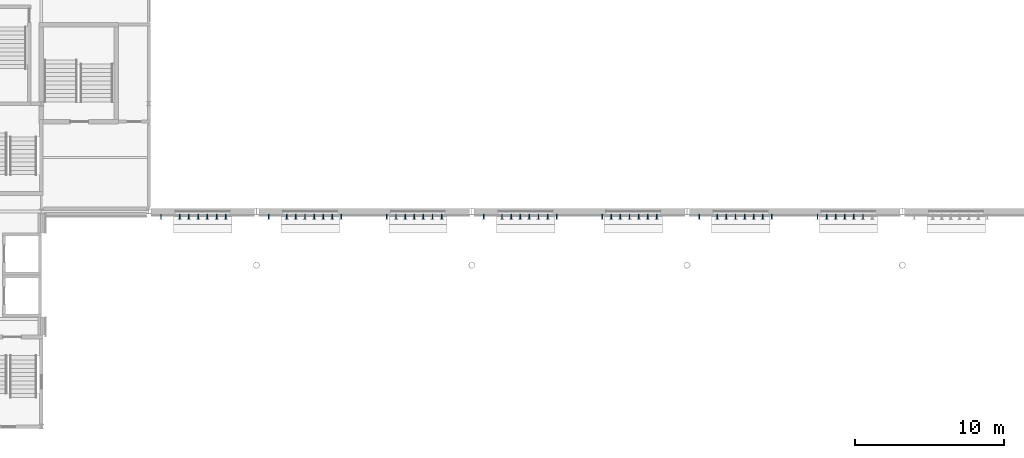
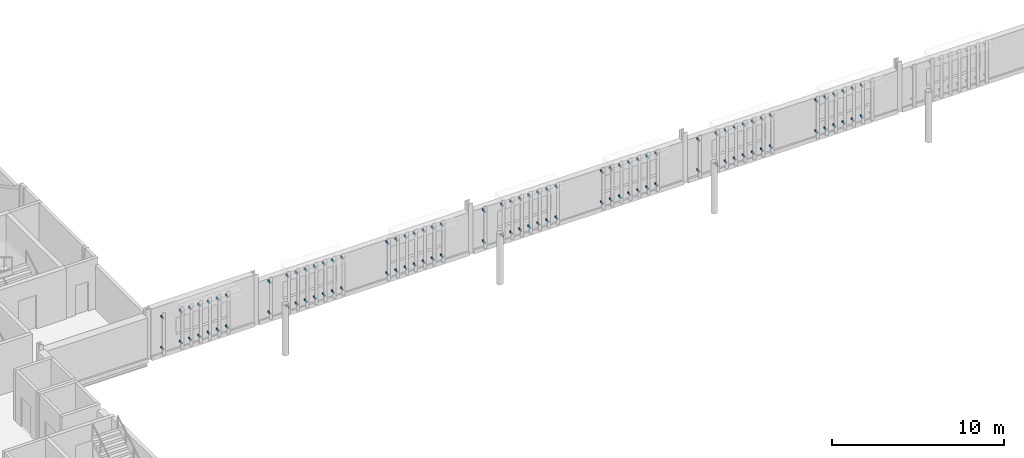
# One storey, part 96 of 124: 102 discrete accessories.
"""IFC4 building model written with IfcOpenShell, lengths in metres."""

from ifc_helpers import new_model, si_unit, direction, frame, origin, origin_2d, place, context, subcontext, project, spatial, rectangle, extrude, material, layer, layer_set, type_object, element, save


model = new_model("IFC4")

# Units and contexts
model_context = context("Model", 3, precision=1e-05, world=origin(), true_north=direction((0.0, 1.0)))
body_context = subcontext(model_context, "Body", "Model", "MODEL_VIEW")
ifc_project = project(units=[si_unit("LENGTHUNIT", "METRE"), si_unit("AREAUNIT", "SQUARE_METRE"), si_unit("VOLUMEUNIT", "CUBIC_METRE"), si_unit("PLANEANGLEUNIT", "RADIAN"), si_unit("MASSUNIT", "GRAM", prefix="KILO")], contexts=[model_context])

# Site, building, storey
site_placement = place(None, origin())
site = spatial("IfcSite", under=ifc_project, at=site_placement, CompositionType="ELEMENT")
building_placement = place(site_placement, origin())
building = spatial("IfcBuilding", under=site, at=building_placement, Name="Kupolbacken Congress Centre", CompositionType="ELEMENT")
storey_placement = place(building_placement, frame((0.0, 0.0, 10.800048828125)))
storey = spatial("IfcBuildingStorey", under=building, at=storey_placement, Name="L03", CompositionType="ELEMENT", Elevation=10.800048828125)

# Discrete accessories
ifc_material = material(Name="Steel S355", Category="steel")
ifc_layer = layer(ifc_material, 0.011962890625)
ifc_layer_set = layer_set([ifc_layer], Name="Steel S355")
discrete_accessory_type = type_object("IfcDiscreteAccessoryType", Name="BK1 bracket 150 x 150 x 12", PredefinedType="BRACKET", material=ifc_layer_set)
for number, where, z_axis, x_axis, name in (
    (1, (87.2099609375, 42.840087890625, 0.64990234375), (0.0, 0.0, 1.0), (1.0, 0.0, 0.0), "E/brise/S/L03/362/B01/BR1"),
    (2, (87.2099609375, 42.840087890625, 2.849853515625), (0.0, 0.0, 1.0), (1.0, 0.0, 0.0), "E/brise/S/L03/362/B01/BR2"),
    (3, (88.449951171875, 42.840087890625, 0.64990234375), (0.0, 0.0, 1.0), (1.0, 0.0, 0.0), "E/brise/S/L03/362/B03/BR1"),
    (4, (88.449951171875, 42.840087890625, 2.849853515625), (0.0, 0.0, 1.0), (1.0, 0.0, 0.0), "E/brise/S/L03/362/B03/BR2"),
    (5, (89.070068359375, 42.840087890625, 0.64990234375), (0.0, 0.0, 1.0), (1.0, 0.0, 0.0), "E/brise/S/L03/362/B04/BR1"),
    (6, (89.070068359375, 42.840087890625, 2.849853515625), (0.0, 0.0, 1.0), (1.0, 0.0, 0.0), "E/brise/S/L03/362/B04/BR2"),
    (7, (89.68994140625, 42.840087890625, 0.64990234375), (0.0, 0.0, 1.0), (1.0, 0.0, 0.0), "E/brise/S/L03/362/B05/BR1"),
    (8, (89.68994140625, 42.840087890625, 2.849853515625), (0.0, 0.0, 1.0), (1.0, 0.0, 0.0), "E/brise/S/L03/362/B05/BR2"),
    (9, (90.31005859375, 42.840087890625, 0.64990234375), (0.0, 0.0, 1.0), (1.0, 0.0, 0.0), "E/brise/S/L03/362/B06/BR1"),
    (10, (90.31005859375, 42.840087890625, 2.849853515625), (0.0, 0.0, 1.0), (1.0, 0.0, 0.0), "E/brise/S/L03/362/B06/BR2"),
    (11, (90.929931640625, 42.840087890625, 0.64990234375), (0.0, 0.0, 1.0), (1.0, 0.0, 0.0), "E/brise/S/L03/362/B07/BR1"),
    (12, (90.929931640625, 42.840087890625, 2.849853515625), (0.0, 0.0, 1.0), (1.0, 0.0, 0.0), "E/brise/S/L03/362/B07/BR2"),
    (13, (91.550048828125, 42.840087890625, 0.64990234375), (0.0, 0.0, 1.0), (1.0, 0.0, 0.0), "E/brise/S/L03/362/B08/BR1"),
    (14, (91.550048828125, 42.840087890625, 2.849853515625), (0.0, 0.0, 1.0), (1.0, 0.0, 0.0), "E/brise/S/L03/362/B08/BR2"),
    (15, (94.404541015625, 42.840087890625, 0.64990234375), (0.0, 0.0, 1.0), (1.0, 0.0, 0.0), "E/brise/S/L03/363/B01/BR1"),
    (16, (94.404541015625, 42.840087890625, 2.849853515625), (0.0, 0.0, 1.0), (1.0, 0.0, 0.0), "E/brise/S/L03/363/B01/BR2"),
    (17, (95.622802734375, 42.840087890625, 0.64990234375), (0.0, 0.0, 1.0), (1.0, 0.0, 0.0), "E/brise/S/L03/363/B03/BR1"),
    (18, (95.622802734375, 42.840087890625, 2.849853515625), (0.0, 0.0, 1.0), (1.0, 0.0, 0.0), "E/brise/S/L03/363/B03/BR2"),
    (19, (96.23193359375, 42.840087890625, 0.64990234375), (0.0, 0.0, 1.0), (1.0, 0.0, 0.0), "E/brise/S/L03/363/B04/BR1"),
    (20, (96.23193359375, 42.840087890625, 2.849853515625), (0.0, 0.0, 1.0), (1.0, 0.0, 0.0), "E/brise/S/L03/363/B04/BR2"),
    (21, (96.8408203125, 42.840087890625, 0.64990234375), (0.0, 0.0, 1.0), (1.0, 0.0, 0.0), "E/brise/S/L03/363/B05/BR1"),
    (22, (96.8408203125, 42.840087890625, 2.849853515625), (0.0, 0.0, 1.0), (1.0, 0.0, 0.0), "E/brise/S/L03/363/B05/BR2"),
    (23, (97.449951171875, 42.840087890625, 0.64990234375), (0.0, 0.0, 1.0), (1.0, 0.0, 0.0), "E/brise/S/L03/363/B06/BR1"),
    (24, (97.449951171875, 42.840087890625, 2.849853515625), (0.0, 0.0, 1.0), (1.0, 0.0, 0.0), "E/brise/S/L03/363/B06/BR2"),
    (25, (98.05908203125, 42.840087890625, 0.64990234375), (0.0, 0.0, 1.0), (1.0, 0.0, 0.0), "E/brise/S/L03/363/B07/BR1"),
    (26, (98.05908203125, 42.840087890625, 2.849853515625), (0.0, 0.0, 1.0), (1.0, 0.0, 0.0), "E/brise/S/L03/363/B07/BR2"),
    (27, (98.668212890625, 42.840087890625, 0.64990234375), (0.0, 0.0, 1.0), (1.0, 0.0, 0.0), "E/brise/S/L03/363/B08/BR1"),
    (28, (98.668212890625, 42.840087890625, 2.849853515625), (0.0, 0.0, 1.0), (1.0, 0.0, 0.0), "E/brise/S/L03/363/B08/BR2"),
    (29, (99.27734375, 42.840087890625, 0.64990234375), (0.0, 0.0, 1.0), (1.0, 0.0, 0.0), "E/brise/S/L03/363/B09/BR1"),
    (30, (99.27734375, 42.840087890625, 2.849853515625), (0.0, 0.0, 1.0), (1.0, 0.0, 0.0), "E/brise/S/L03/363/B09/BR2"),
    (31, (102.32275390625, 42.840087890625, 0.64990234375), (0.0, 0.0, 1.0), (1.0, 0.0, 0.0), "E/brise/S/L03/363/B14/BR1"),
    (32, (102.32275390625, 42.840087890625, 2.849853515625), (0.0, 0.0, 1.0), (1.0, 0.0, 0.0), "E/brise/S/L03/363/B14/BR2"),
    (33, (102.931884765625, 42.840087890625, 0.64990234375), (0.0, 0.0, 1.0), (1.0, 0.0, 0.0), "E/brise/S/L03/363/B15/BR1"),
    (34, (102.931884765625, 42.840087890625, 2.849853515625), (0.0, 0.0, 1.0), (1.0, 0.0, 0.0), "E/brise/S/L03/363/B15/BR2"),
    (35, (103.541015625, 42.840087890625, 0.64990234375), (0.0, 0.0, 1.0), (1.0, 0.0, 0.0), "E/brise/S/L03/363/B16/BR1"),
    (36, (103.541015625, 42.840087890625, 2.849853515625), (0.0, 0.0, 1.0), (1.0, 0.0, 0.0), "E/brise/S/L03/363/B16/BR2"),
    (37, (104.14990234375, 42.840087890625, 0.64990234375), (0.0, 0.0, 1.0), (1.0, 0.0, 0.0), "E/brise/S/L03/363/B17/BR1"),
    (38, (104.14990234375, 42.840087890625, 2.849853515625), (0.0, 0.0, 1.0), (1.0, 0.0, 0.0), "E/brise/S/L03/363/B17/BR2"),
    (39, (104.759033203125, 42.840087890625, 0.64990234375), (0.0, 0.0, 1.0), (1.0, 0.0, 0.0), "E/brise/S/L03/363/B18/BR1"),
    (40, (104.759033203125, 42.840087890625, 2.849853515625), (0.0, 0.0, 1.0), (1.0, 0.0, 0.0), "E/brise/S/L03/363/B18/BR2"),
    (41, (105.3681640625, 42.840087890625, 0.64990234375), (0.0, 0.0, 1.0), (1.0, 0.0, 0.0), "E/brise/S/L03/363/B19/BR1"),
    (42, (105.3681640625, 42.840087890625, 2.849853515625), (0.0, 0.0, 1.0), (1.0, 0.0, 0.0), "E/brise/S/L03/363/B19/BR2"),
    (43, (105.977294921875, 42.840087890625, 0.64990234375), (0.0, 0.0, 1.0), (1.0, 0.0, 0.0), "E/brise/S/L03/363/B20/BR1"),
    (44, (105.977294921875, 42.840087890625, 2.849853515625), (0.0, 0.0, 1.0), (1.0, 0.0, 0.0), "E/brise/S/L03/363/B20/BR2"),
    (45, (108.804443359375, 42.840087890625, 0.64990234375), (0.0, 0.0, 1.0), (1.0, 0.0, 0.0), "E/brise/S/L03/364/B01/BR1"),
    (46, (108.804443359375, 42.840087890625, 2.849853515625), (0.0, 0.0, 1.0), (1.0, 0.0, 0.0), "E/brise/S/L03/364/B01/BR2"),
    (47, (110.022705078125, 42.840087890625, 0.64990234375), (0.0, 0.0, 1.0), (1.0, 0.0, 0.0), "E/brise/S/L03/364/B03/BR1"),
    (48, (110.022705078125, 42.840087890625, 2.849853515625), (0.0, 0.0, 1.0), (1.0, 0.0, 0.0), "E/brise/S/L03/364/B03/BR2"),
    (49, (110.6318359375, 42.840087890625, 0.64990234375), (0.0, 0.0, 1.0), (1.0, 0.0, 0.0), "E/brise/S/L03/364/B04/BR1"),
    (50, (110.6318359375, 42.840087890625, 2.849853515625), (0.0, 0.0, 1.0), (1.0, 0.0, 0.0), "E/brise/S/L03/364/B04/BR2"),
    (51, (111.240966796875, 42.840087890625, 0.64990234375), (0.0, 0.0, 1.0), (1.0, 0.0, 0.0), "E/brise/S/L03/364/B05/BR1"),
    (52, (111.240966796875, 42.840087890625, 2.849853515625), (0.0, 0.0, 1.0), (1.0, 0.0, 0.0), "E/brise/S/L03/364/B05/BR2"),
    (53, (111.85009765625, 42.840087890625, 0.64990234375), (0.0, 0.0, 1.0), (1.0, 0.0, 0.0), "E/brise/S/L03/364/B06/BR1"),
    (54, (111.85009765625, 42.840087890625, 2.849853515625), (0.0, 0.0, 1.0), (1.0, 0.0, 0.0), "E/brise/S/L03/364/B06/BR2"),
    (55, (112.458984375, 42.840087890625, 0.64990234375), (0.0, 0.0, 1.0), (1.0, 0.0, 0.0), "E/brise/S/L03/364/B07/BR1"),
    (56, (112.458984375, 42.840087890625, 2.849853515625), (0.0, 0.0, 1.0), (1.0, 0.0, 0.0), "E/brise/S/L03/364/B07/BR2"),
    (57, (113.068115234375, 42.840087890625, 0.64990234375), (0.0, 0.0, 1.0), (1.0, 0.0, 0.0), "E/brise/S/L03/364/B08/BR1"),
    (58, (113.068115234375, 42.840087890625, 2.849853515625), (0.0, 0.0, 1.0), (1.0, 0.0, 0.0), "E/brise/S/L03/364/B08/BR2"),
    (59, (113.67724609375, 42.840087890625, 0.64990234375), (0.0, 0.0, 1.0), (1.0, 0.0, 0.0), "E/brise/S/L03/364/B09/BR1"),
    (60, (113.67724609375, 42.840087890625, 2.849853515625), (0.0, 0.0, 1.0), (1.0, 0.0, 0.0), "E/brise/S/L03/364/B09/BR2"),
    (61, (116.72265625, 42.840087890625, 0.64990234375), (0.0, 0.0, 1.0), (1.0, 0.0, 0.0), "E/brise/S/L03/364/B14/BR1"),
    (62, (116.72265625, 42.840087890625, 2.849853515625), (0.0, 0.0, 1.0), (1.0, 0.0, 0.0), "E/brise/S/L03/364/B14/BR2"),
    (63, (117.331787109375, 42.840087890625, 0.64990234375), (0.0, 0.0, 1.0), (1.0, 0.0, 0.0), "E/brise/S/L03/364/B15/BR1"),
    (64, (117.331787109375, 42.840087890625, 2.849853515625), (0.0, 0.0, 1.0), (1.0, 0.0, 0.0), "E/brise/S/L03/364/B15/BR2"),
    (65, (117.94091796875, 42.840087890625, 0.64990234375), (0.0, 0.0, 1.0), (1.0, 0.0, 0.0), "E/brise/S/L03/364/B16/BR1"),
    (66, (117.94091796875, 42.840087890625, 2.849853515625), (0.0, 0.0, 1.0), (1.0, 0.0, 0.0), "E/brise/S/L03/364/B16/BR2"),
    (67, (118.550048828125, 42.840087890625, 0.64990234375), (0.0, 0.0, 1.0), (1.0, 0.0, 0.0), "E/brise/S/L03/364/B17/BR1"),
    (68, (118.550048828125, 42.840087890625, 2.849853515625), (0.0, 0.0, 1.0), (1.0, 0.0, 0.0), "E/brise/S/L03/364/B17/BR2"),
    (69, (119.1591796875, 42.840087890625, 0.64990234375), (0.0, 0.0, 1.0), (1.0, 0.0, 0.0), "E/brise/S/L03/364/B18/BR1"),
    (70, (119.1591796875, 42.840087890625, 2.849853515625), (0.0, 0.0, 1.0), (1.0, 0.0, 0.0), "E/brise/S/L03/364/B18/BR2"),
    (71, (119.76806640625, 42.840087890625, 0.64990234375), (0.0, 0.0, 1.0), (1.0, 0.0, 0.0), "E/brise/S/L03/364/B19/BR1"),
    (72, (119.76806640625, 42.840087890625, 2.849853515625), (0.0, 0.0, 1.0), (1.0, 0.0, 0.0), "E/brise/S/L03/364/B19/BR2"),
    (73, (120.377197265625, 42.840087890625, 0.64990234375), (0.0, 0.0, 1.0), (1.0, 0.0, 0.0), "E/brise/S/L03/364/B20/BR1"),
    (74, (120.377197265625, 42.840087890625, 2.849853515625), (0.0, 0.0, 1.0), (1.0, 0.0, 0.0), "E/brise/S/L03/364/B20/BR2"),
    (75, (123.20458984375, 42.840087890625, 0.64990234375), (0.0, 0.0, 1.0), (1.0, 0.0, 0.0), "E/brise/S/L03/365/B01/BR1"),
    (76, (123.20458984375, 42.840087890625, 2.849853515625), (0.0, 0.0, 1.0), (1.0, 0.0, 0.0), "E/brise/S/L03/365/B01/BR2"),
    (77, (124.422607421875, 42.840087890625, 0.64990234375), (0.0, 0.0, 1.0), (1.0, 0.0, 0.0), "E/brise/S/L03/365/B03/BR1"),
    (78, (124.422607421875, 42.840087890625, 2.849853515625), (0.0, 0.0, 1.0), (1.0, 0.0, 0.0), "E/brise/S/L03/365/B03/BR2"),
    (79, (125.03173828125, 42.840087890625, 0.64990234375), (0.0, 0.0, 1.0), (1.0, 0.0, 0.0), "E/brise/S/L03/365/B04/BR1"),
    (80, (125.03173828125, 42.840087890625, 2.849853515625), (0.0, 0.0, 1.0), (1.0, 0.0, 0.0), "E/brise/S/L03/365/B04/BR2"),
    (81, (125.640869140625, 42.840087890625, 0.64990234375), (0.0, 0.0, 1.0), (1.0, 0.0, 0.0), "E/brise/S/L03/365/B05/BR1"),
    (82, (125.640869140625, 42.840087890625, 2.849853515625), (0.0, 0.0, 1.0), (1.0, 0.0, 0.0), "E/brise/S/L03/365/B05/BR2"),
    (83, (126.25, 42.840087890625, 0.64990234375), (0.0, 0.0, 1.0), (1.0, 0.0, 0.0), "E/brise/S/L03/365/B06/BR1"),
    (84, (126.25, 42.840087890625, 2.849853515625), (0.0, 0.0, 1.0), (1.0, 0.0, 0.0), "E/brise/S/L03/365/B06/BR2"),
    (85, (126.859130859375, 42.840087890625, 0.64990234375), (0.0, 0.0, 1.0), (1.0, 0.0, 0.0), "E/brise/S/L03/365/B07/BR1"),
    (86, (126.859130859375, 42.840087890625, 2.849853515625), (0.0, 0.0, 1.0), (1.0, 0.0, 0.0), "E/brise/S/L03/365/B07/BR2"),
    (87, (127.46826171875, 42.840087890625, 0.64990234375), (0.0, 0.0, 1.0), (1.0, 0.0, 0.0), "E/brise/S/L03/365/B08/BR1"),
    (88, (127.46826171875, 42.840087890625, 2.849853515625), (0.0, 0.0, 1.0), (1.0, 0.0, 0.0), "E/brise/S/L03/365/B08/BR2"),
    (89, (128.077392578125, 42.840087890625, 0.64990234375), (0.0, 0.0, 1.0), (1.0, 0.0, 0.0), "E/brise/S/L03/365/B09/BR1"),
    (90, (128.077392578125, 42.840087890625, 2.849853515625), (0.0, 0.0, 1.0), (1.0, 0.0, 0.0), "E/brise/S/L03/365/B09/BR2"),
    (91, (131.122802734375, 42.840087890625, 0.64990234375), (0.0, 0.0, 1.0), (1.0, 0.0, 0.0), "E/brise/S/L03/365/B14/BR1"),
    (92, (131.122802734375, 42.840087890625, 2.849853515625), (0.0, 0.0, 1.0), (1.0, 0.0, 0.0), "E/brise/S/L03/365/B14/BR2"),
    (93, (131.73193359375, 42.840087890625, 0.64990234375), (0.0, 0.0, 1.0), (1.0, 0.0, 0.0), "E/brise/S/L03/365/B15/BR1"),
    (94, (131.73193359375, 42.840087890625, 2.849853515625), (0.0, 0.0, 1.0), (1.0, 0.0, 0.0), "E/brise/S/L03/365/B15/BR2"),
    (95, (132.3408203125, 42.840087890625, 0.64990234375), (0.0, 0.0, 1.0), (1.0, 0.0, 0.0), "E/brise/S/L03/365/B16/BR1"),
    (96, (132.3408203125, 42.840087890625, 2.849853515625), (0.0, 0.0, 1.0), (1.0, 0.0, 0.0), "E/brise/S/L03/365/B16/BR2"),
    (97, (132.949951171875, 42.840087890625, 0.64990234375), (0.0, 0.0, 1.0), (1.0, 0.0, 0.0), "E/brise/S/L03/365/B17/BR1"),
    (98, (132.949951171875, 42.840087890625, 2.849853515625), (0.0, 0.0, 1.0), (1.0, 0.0, 0.0), "E/brise/S/L03/365/B17/BR2"),
    (99, (133.55908203125, 42.840087890625, 0.64990234375), (0.0, 0.0, 1.0), (1.0, 0.0, 0.0), "E/brise/S/L03/365/B18/BR1"),
    (100, (133.55908203125, 42.840087890625, 2.849853515625), (0.0, 0.0, 1.0), (1.0, 0.0, 0.0), "E/brise/S/L03/365/B18/BR2"),
    (101, (134.168212890625, 42.840087890625, 0.64990234375), (0.0, 0.0, 1.0), (1.0, 0.0, 0.0), "E/brise/S/L03/365/B19/BR1"),
    (102, (134.168212890625, 42.840087890625, 2.849853515625), (0.0, 0.0, 1.0), (1.0, 0.0, 0.0), "E/brise/S/L03/365/B19/BR2"),
):
    element("IfcDiscreteAccessory", number, at=place(storey_placement, frame(where, z_axis=z_axis, x_axis=x_axis)), inside=storey, type_object=discrete_accessory_type, Name=name, PredefinedType="BRACKET", context=body_context, shape_type="SweptSolid", body=[
        extrude(rectangle(XDim=0.06005859375, YDim=0.31005859375, at=origin_2d()), origin(), (0.0, 0.0, 1.0), 0.10009765625),
    ])

save(model, "model.ifc")
